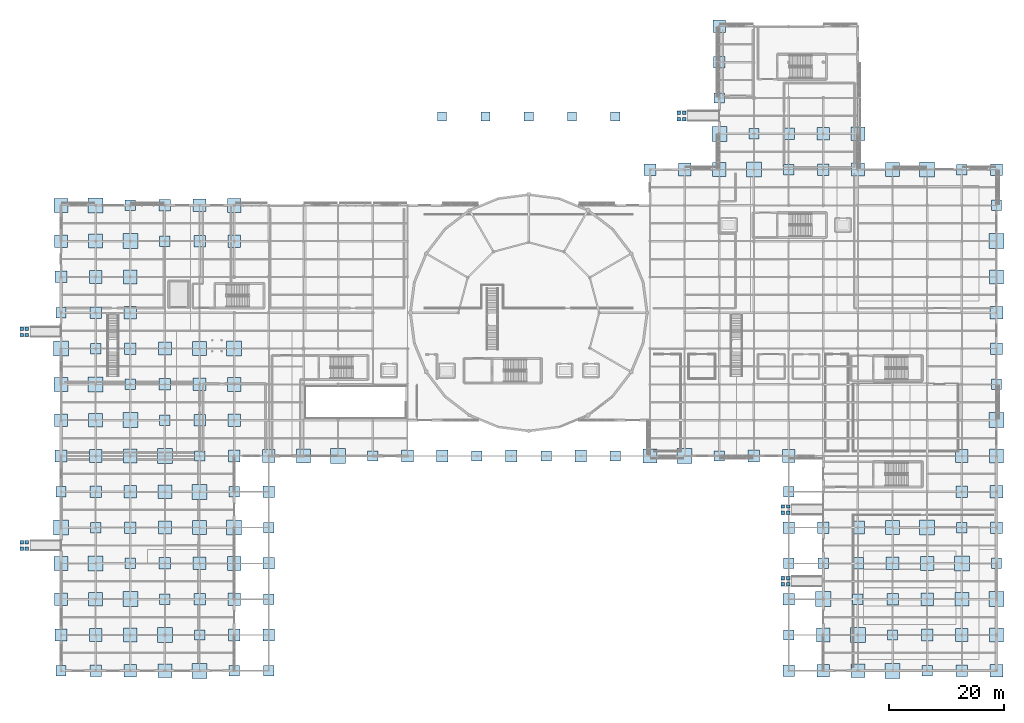
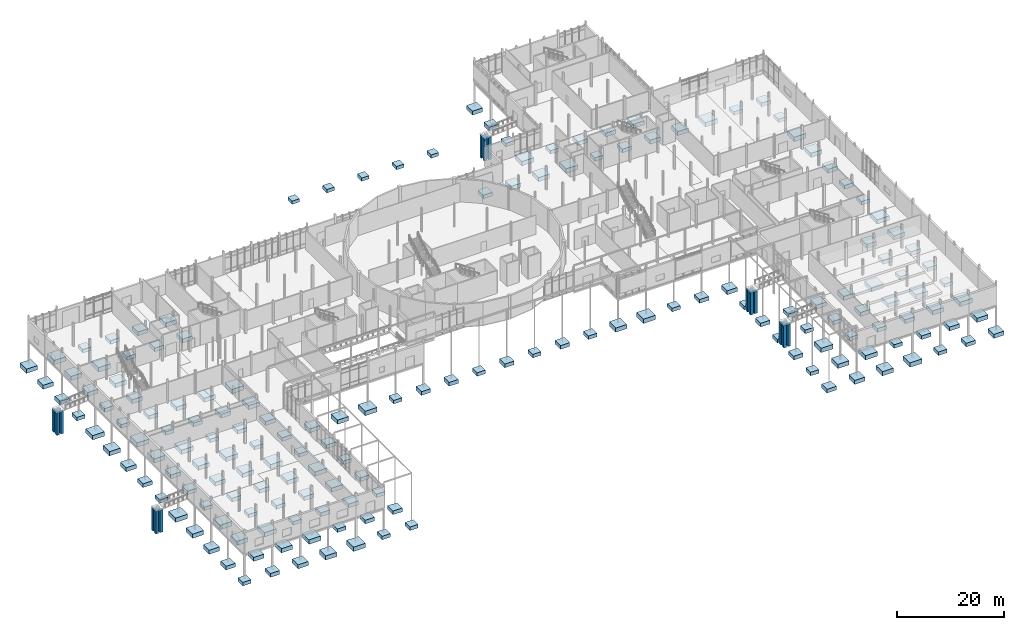
# One storey, part 1 of 98: 191 footings.
"""IFC4 building model written with IfcOpenShell, lengths in metres."""

from ifc_helpers import new_model, si_unit, direction, frame, origin, origin_2d, place, context, subcontext, project, spatial, rectangle, extrude, material, layer, layer_set, type_object, element, save


model = new_model("IFC4")

# Units and contexts
model_context = context("Model", 3, precision=1e-05, world=origin(), true_north=direction((0.0, 1.0)))
body_context = subcontext(model_context, "Body", "Model", "MODEL_VIEW")
ifc_project = project(units=[si_unit("LENGTHUNIT", "METRE"), si_unit("AREAUNIT", "SQUARE_METRE"), si_unit("VOLUMEUNIT", "CUBIC_METRE"), si_unit("PLANEANGLEUNIT", "RADIAN"), si_unit("MASSUNIT", "GRAM", prefix="KILO")], contexts=[model_context])

# Site, building, storey
site_placement = place(None, origin())
site = spatial("IfcSite", under=ifc_project, at=site_placement, CompositionType="ELEMENT")
building_placement = place(site_placement, origin())
building = spatial("IfcBuilding", under=site, at=building_placement, Name="Mirzam Square Science Centre", CompositionType="ELEMENT")
storey_placement = place(building_placement, origin())
storey = spatial("IfcBuildingStorey", under=building, at=storey_placement, Name="L00", CompositionType="ELEMENT", Elevation=0.0)

# Footings
ifc_material = material(Name="Concrete C45/55", Category="concrete")
ifc_layer_1 = layer(ifc_material, 0.800048828125)
ifc_layer_set_1 = layer_set([ifc_layer_1], Name="PF-COL-1800")
footing_type_1 = type_object("IfcFootingType", Name="PF-COL-1800", PredefinedType="PAD_FOOTING", material=ifc_layer_set_1)
for number, where, z_axis, x_axis, name in (
    (1, (0.0, 0.0, -6.60009765625), (0.0, 0.0, 1.0), (1.0, 0.0, 0.0), "Pad footing G01-01"),
    (2, (0.0, 31.0, -6.60009765625), (0.0, 0.0, 1.0), (1.0, 0.0, 0.0), "Pad footing G01-06"),
    (3, (0.0, 62.0, -6.60009765625), (0.0, 0.0, 1.0), (1.0, 0.0, 0.0), "Pad footing G01-11"),
    (4, (6.0, 24.800048828125, -6.60009765625), (0.0, 0.0, 1.0), (1.0, 0.0, 0.0), "Pad footing G02-05"),
    (5, (6.0, 55.800048828125, -6.60009765625), (0.0, 0.0, 1.0), (1.0, 0.0, 0.0), "Pad footing G02-10"),
    (6, (12.0, 18.60009765625, -6.60009765625), (0.0, 0.0, 1.0), (1.0, 0.0, 0.0), "Pad footing G03-04"),
    (7, (12.0, 49.60009765625, -6.60009765625), (0.0, 0.0, 1.0), (1.0, 0.0, 0.0), "Pad footing G03-09"),
    (8, (12.0, 80.60009765625, -6.60009765625), (0.0, 0.0, 1.0), (1.0, 0.0, 0.0), "Pad footing G03-14"),
    (9, (18.0, 12.39990234375, -6.60009765625), (0.0, 0.0, 1.0), (1.0, 0.0, 0.0), "Pad footing G04-03"),
    (10, (18.0, 43.39990234375, -6.60009765625), (0.0, 0.0, 1.0), (1.0, 0.0, 0.0), "Pad footing G04-08"),
    (11, (18.0, 74.39990234375, -6.60009765625), (0.0, 0.0, 1.0), (1.0, 0.0, 0.0), "Pad footing G04-13"),
    (12, (24.0, 6.199951171875, -6.60009765625), (0.0, 0.0, 1.0), (1.0, 0.0, 0.0), "Pad footing G05-02"),
    (13, (24.0, 37.199951171875, -6.60009765625), (0.0, 0.0, 1.0), (1.0, 0.0, 0.0), "Pad footing G05-07"),
    (14, (30.0, 0.0, -6.60009765625), (0.0, 0.0, 1.0), (1.0, 0.0, 0.0), "Pad footing G06-01"),
    (15, (30.0, 31.0, -6.60009765625), (0.0, 0.0, 1.0), (1.0, 0.0, 0.0), "Pad footing G06-06"),
    (16, (36.0, 0.0, -6.60009765625), (0.0, 0.0, 1.0), (1.0, 0.0, 0.0), "Pad footing G07-01"),
    (17, (36.0, 12.39990234375, -6.60009765625), (0.0, 0.0, 1.0), (1.0, 0.0, 0.0), "Pad footing G07-03"),
    (18, (36.0, 24.800048828125, -6.60009765625), (0.0, 0.0, 1.0), (1.0, 0.0, 0.0), "Pad footing G07-05"),
    (19, (54.0, 37.199951171875, -6.60009765625), (0.0, 0.0, 1.0), (1.0, 0.0, 0.0), "Pad footing G10-07"),
    (20, (72.0, 37.199951171875, -6.60009765625), (0.0, 0.0, 1.0), (1.0, 0.0, 0.0), "Pad footing G13-07"),
    (21, (84.0, 37.199951171875, -6.60009765625), (0.0, 0.0, 1.0), (1.0, 0.0, 0.0), "Pad footing G15-07"),
    (22, (96.0, 37.199951171875, -6.60009765625), (0.0, 0.0, 1.0), (1.0, 0.0, 0.0), "Pad footing G17-07"),
    (23, (114.0, 37.199951171875, -6.60009765625), (0.0, 0.0, 1.0), (1.0, 0.0, 0.0), "Pad footing G20-07"),
    (24, (114.0, 99.199951171875, -6.60009765625), (0.0, 0.0, 1.0), (1.0, 0.0, 0.0), "Pad footing G20-17"),
    (25, (120.0, 93.0, -6.60009765625), (0.0, 0.0, 1.0), (1.0, 0.0, 0.0), "Pad footing G21-16"),
    (26, (126.0, 6.199951171875, -6.60009765625), (0.0, 0.0, 1.0), (1.0, 0.0, 0.0), "Pad footing G22-02"),
    (27, (126.0, 18.60009765625, -6.60009765625), (0.0, 0.0, 1.0), (1.0, 0.0, 0.0), "Pad footing G22-04"),
    (28, (126.0, 31.0, -6.60009765625), (0.0, 0.0, 1.0), (1.0, 0.0, 0.0), "Pad footing G22-06"),
    (29, (126.0, 86.800048828125, -6.60009765625), (0.0, 0.0, 1.0), (1.0, 0.0, 0.0), "Pad footing G22-15"),
    (30, (132.0, 18.60009765625, -6.60009765625), (0.0, 0.0, 1.0), (1.0, 0.0, 0.0), "Pad footing G23-04"),
    (31, (138.0, 12.39990234375, -6.60009765625), (0.0, 0.0, 1.0), (1.0, 0.0, 0.0), "Pad footing G24-03"),
    (32, (144.0, 6.199951171875, -6.60009765625), (0.0, 0.0, 1.0), (1.0, 0.0, 0.0), "Pad footing G25-02"),
    (33, (150.0, 0.0, -6.60009765625), (0.0, 0.0, 1.0), (1.0, 0.0, 0.0), "Pad footing G26-01"),
    (34, (156.0, 24.800048828125, -6.60009765625), (0.0, 0.0, 1.0), (1.0, 0.0, 0.0), "Pad footing G27-05"),
    (35, (156.0, 86.800048828125, -6.60009765625), (0.0, 0.0, 1.0), (1.0, 0.0, 0.0), "Pad footing G27-15"),
    (36, (162.0, 18.60009765625, -6.60009765625), (0.0, 0.0, 1.0), (1.0, 0.0, 0.0), "Pad footing G28-04"),
    (37, (162.0, 49.60009765625, -6.60009765625), (0.0, 0.0, 1.0), (1.0, 0.0, 0.0), "Pad footing G28-09"),
    (38, (162.0, 80.60009765625, -6.60009765625), (0.0, 0.0, 1.0), (1.0, 0.0, 0.0), "Pad footing G28-14"),
):
    element("IfcFooting", number, at=place(storey_placement, frame(where, z_axis=z_axis, x_axis=x_axis)), inside=storey, type_object=footing_type_1, Name=name, PredefinedType="PAD_FOOTING", context=body_context, shape_type="SweptSolid", body=[
        extrude(rectangle(XDim=1.800048828125, YDim=1.800048828125, at=origin_2d()), origin(), (0.0, 0.0, 1.0), 0.800048828125),
    ])
for number, where, z_axis, x_axis, name in (
    (39, (125.0, 14.949951171875, -5.800048828125), (0.0, 0.0, 1.0), (1.0, 0.0, 0.0), "RAMP-PED-01 apron pier 1"),
    (40, (125.89990234375, 14.949951171875, -5.800048828125), (0.0, 0.0, 1.0), (1.0, 0.0, 0.0), "RAMP-PED-01 apron pier 2"),
    (41, (125.0, 16.050048828125, -5.800048828125), (0.0, 0.0, 1.0), (1.0, 0.0, 0.0), "RAMP-PED-01 apron pier 3"),
    (42, (125.89990234375, 16.050048828125, -5.800048828125), (0.0, 0.0, 1.0), (1.0, 0.0, 0.0), "RAMP-PED-01 apron pier 4"),
    (43, (125.0, 27.35009765625, -5.800048828125), (0.0, 0.0, 1.0), (1.0, 0.0, 0.0), "RAMP-PED-02 apron pier 1"),
    (44, (125.89990234375, 27.35009765625, -5.800048828125), (0.0, 0.0, 1.0), (1.0, 0.0, 0.0), "RAMP-PED-02 apron pier 2"),
    (45, (125.0, 28.449951171875, -5.800048828125), (0.0, 0.0, 1.0), (1.0, 0.0, 0.0), "RAMP-PED-02 apron pier 3"),
    (46, (125.89990234375, 28.449951171875, -5.800048828125), (0.0, 0.0, 1.0), (1.0, 0.0, 0.0), "RAMP-PED-02 apron pier 4"),
    (47, (-6.800048828125, 58.14990234375, -5.800048828125), (0.0, 0.0, 1.0), (1.0, 0.0, 0.0), "RAMP-PED-03 apron pier 1"),
    (48, (-5.89990234375, 58.14990234375, -5.800048828125), (0.0, 0.0, 1.0), (1.0, 0.0, 0.0), "RAMP-PED-03 apron pier 2"),
    (49, (-6.800048828125, 59.25, -5.800048828125), (0.0, 0.0, 1.0), (1.0, 0.0, 0.0), "RAMP-PED-03 apron pier 3"),
    (50, (-5.89990234375, 59.25, -5.800048828125), (0.0, 0.0, 1.0), (1.0, 0.0, 0.0), "RAMP-PED-03 apron pier 4"),
    (51, (-6.800048828125, 21.14990234375, -5.800048828125), (0.0, 0.0, 1.0), (1.0, 0.0, 0.0), "RAMP-PED-04 apron pier 1"),
    (52, (-5.89990234375, 21.14990234375, -5.800048828125), (0.0, 0.0, 1.0), (1.0, 0.0, 0.0), "RAMP-PED-04 apron pier 2"),
    (53, (-6.800048828125, 22.25, -5.800048828125), (0.0, 0.0, 1.0), (1.0, 0.0, 0.0), "RAMP-PED-04 apron pier 3"),
    (54, (-5.89990234375, 22.25, -5.800048828125), (0.0, 0.0, 1.0), (1.0, 0.0, 0.0), "RAMP-PED-04 apron pier 4"),
    (55, (107.0, 95.550048828125, -5.800048828125), (0.0, 0.0, 1.0), (1.0, 0.0, 0.0), "RAMP-PED-05 apron pier 1"),
    (56, (107.89990234375, 95.550048828125, -5.800048828125), (0.0, 0.0, 1.0), (1.0, 0.0, 0.0), "RAMP-PED-05 apron pier 2"),
    (57, (107.0, 96.64990234375, -5.800048828125), (0.0, 0.0, 1.0), (1.0, 0.0, 0.0), "RAMP-PED-05 apron pier 3"),
    (58, (107.89990234375, 96.64990234375, -5.800048828125), (0.0, 0.0, 1.0), (1.0, 0.0, 0.0), "RAMP-PED-05 apron pier 4"),
):
    element("IfcFooting", number, at=place(storey_placement, frame(where, z_axis=z_axis, x_axis=x_axis)), inside=storey, type_object=footing_type_1, Name=name, PredefinedType="PAD_FOOTING", context=body_context, shape_type="SweptSolid", body=[
        extrude(rectangle(XDim=0.60009765625, YDim=0.60009765625, at=origin_2d()), origin(), (0.0, 0.0, 1.0), 5.10009765625),
    ])
ifc_layer_2 = layer(ifc_material, 0.85009765625)
ifc_layer_set_2 = layer_set([ifc_layer_2], Name="PF-COL-2000")
footing_type_2 = type_object("IfcFootingType", Name="PF-COL-2000", PredefinedType="PAD_FOOTING", material=ifc_layer_set_2)
for number, where, z_axis, x_axis, name in (
    (59, (0.0, 6.199951171875, -6.650146484375), (0.0, 0.0, 1.0), (1.0, 0.0, 0.0), "Pad footing G01-02"),
    (60, (0.0, 37.199951171875, -6.650146484375), (0.0, 0.0, 1.0), (1.0, 0.0, 0.0), "Pad footing G01-07"),
    (61, (0.0, 68.199951171875, -6.650146484375), (0.0, 0.0, 1.0), (1.0, 0.0, 0.0), "Pad footing G01-12"),
    (62, (6.0, 0.0, -6.650146484375), (0.0, 0.0, 1.0), (1.0, 0.0, 0.0), "Pad footing G02-01"),
    (63, (6.0, 31.0, -6.650146484375), (0.0, 0.0, 1.0), (1.0, 0.0, 0.0), "Pad footing G02-06"),
    (64, (6.0, 62.0, -6.650146484375), (0.0, 0.0, 1.0), (1.0, 0.0, 0.0), "Pad footing G02-11"),
    (65, (12.0, 24.800048828125, -6.650146484375), (0.0, 0.0, 1.0), (1.0, 0.0, 0.0), "Pad footing G03-05"),
    (66, (12.0, 55.800048828125, -6.650146484375), (0.0, 0.0, 1.0), (1.0, 0.0, 0.0), "Pad footing G03-10"),
    (67, (18.0, 18.60009765625, -6.650146484375), (0.0, 0.0, 1.0), (1.0, 0.0, 0.0), "Pad footing G04-04"),
    (68, (18.0, 49.60009765625, -6.650146484375), (0.0, 0.0, 1.0), (1.0, 0.0, 0.0), "Pad footing G04-09"),
    (69, (18.0, 80.60009765625, -6.650146484375), (0.0, 0.0, 1.0), (1.0, 0.0, 0.0), "Pad footing G04-14"),
    (70, (24.0, 12.39990234375, -6.650146484375), (0.0, 0.0, 1.0), (1.0, 0.0, 0.0), "Pad footing G05-03"),
    (71, (24.0, 43.39990234375, -6.650146484375), (0.0, 0.0, 1.0), (1.0, 0.0, 0.0), "Pad footing G05-08"),
    (72, (24.0, 74.39990234375, -6.650146484375), (0.0, 0.0, 1.0), (1.0, 0.0, 0.0), "Pad footing G05-13"),
    (73, (30.0, 6.199951171875, -6.650146484375), (0.0, 0.0, 1.0), (1.0, 0.0, 0.0), "Pad footing G06-02"),
    (74, (30.0, 37.199951171875, -6.650146484375), (0.0, 0.0, 1.0), (1.0, 0.0, 0.0), "Pad footing G06-07"),
    (75, (36.0, 6.199951171875, -6.650146484375), (0.0, 0.0, 1.0), (1.0, 0.0, 0.0), "Pad footing G07-02"),
    (76, (36.0, 18.60009765625, -6.650146484375), (0.0, 0.0, 1.0), (1.0, 0.0, 0.0), "Pad footing G07-04"),
    (77, (36.0, 31.0, -6.650146484375), (0.0, 0.0, 1.0), (1.0, 0.0, 0.0), "Pad footing G07-06"),
    (78, (60.0, 37.199951171875, -6.650146484375), (0.0, 0.0, 1.0), (1.0, 0.0, 0.0), "Pad footing G11-07"),
    (79, (66.0, 37.199951171875, -6.650146484375), (0.0, 0.0, 1.0), (1.0, 0.0, 0.0), "Pad footing G12-07"),
    (80, (78.0, 37.199951171875, -6.650146484375), (0.0, 0.0, 1.0), (1.0, 0.0, 0.0), "Pad footing G14-07"),
    (81, (90.0, 37.199951171875, -6.650146484375), (0.0, 0.0, 1.0), (1.0, 0.0, 0.0), "Pad footing G16-07"),
    (82, (102.0, 86.800048828125, -6.650146484375), (0.0, 0.0, 1.0), (1.0, 0.0, 0.0), "Pad footing G18-15"),
    (83, (114.0, 105.39990234375, -6.650146484375), (0.0, 0.0, 1.0), (1.0, 0.0, 0.0), "Pad footing G20-18"),
    (84, (120.0, 37.199951171875, -6.650146484375), (0.0, 0.0, 1.0), (1.0, 0.0, 0.0), "Pad footing G21-07"),
    (85, (126.0, 0.0, -6.650146484375), (0.0, 0.0, 1.0), (1.0, 0.0, 0.0), "Pad footing G22-01"),
    (86, (126.0, 12.39990234375, -6.650146484375), (0.0, 0.0, 1.0), (1.0, 0.0, 0.0), "Pad footing G22-03"),
    (87, (126.0, 24.800048828125, -6.650146484375), (0.0, 0.0, 1.0), (1.0, 0.0, 0.0), "Pad footing G22-05"),
    (88, (126.0, 93.0, -6.650146484375), (0.0, 0.0, 1.0), (1.0, 0.0, 0.0), "Pad footing G22-16"),
    (89, (132.0, 24.800048828125, -6.650146484375), (0.0, 0.0, 1.0), (1.0, 0.0, 0.0), "Pad footing G23-05"),
    (90, (132.0, 86.800048828125, -6.650146484375), (0.0, 0.0, 1.0), (1.0, 0.0, 0.0), "Pad footing G23-15"),
    (91, (138.0, 18.60009765625, -6.650146484375), (0.0, 0.0, 1.0), (1.0, 0.0, 0.0), "Pad footing G24-04"),
    (92, (144.0, 12.39990234375, -6.650146484375), (0.0, 0.0, 1.0), (1.0, 0.0, 0.0), "Pad footing G25-03"),
    (93, (150.0, 6.199951171875, -6.650146484375), (0.0, 0.0, 1.0), (1.0, 0.0, 0.0), "Pad footing G26-02"),
    (94, (156.0, 0.0, -6.650146484375), (0.0, 0.0, 1.0), (1.0, 0.0, 0.0), "Pad footing G27-01"),
    (95, (156.0, 31.0, -6.650146484375), (0.0, 0.0, 1.0), (1.0, 0.0, 0.0), "Pad footing G27-06"),
    (96, (162.0, 24.800048828125, -6.650146484375), (0.0, 0.0, 1.0), (1.0, 0.0, 0.0), "Pad footing G28-05"),
    (97, (162.0, 55.800048828125, -6.650146484375), (0.0, 0.0, 1.0), (1.0, 0.0, 0.0), "Pad footing G28-10"),
    (98, (162.0, 86.800048828125, -6.650146484375), (0.0, 0.0, 1.0), (1.0, 0.0, 0.0), "Pad footing G28-15"),
):
    element("IfcFooting", number, at=place(storey_placement, frame(where, z_axis=z_axis, x_axis=x_axis)), inside=storey, type_object=footing_type_2, Name=name, PredefinedType="PAD_FOOTING", context=body_context, shape_type="SweptSolid", body=[
        extrude(rectangle(XDim=2.0, YDim=2.0, at=origin_2d()), origin(), (0.0, 0.0, 1.0), 0.85009765625),
    ])
ifc_layer_3 = layer(ifc_material, 0.89990234375)
ifc_layer_set_3 = layer_set([ifc_layer_3], Name="PF-COL-2200")
footing_type_3 = type_object("IfcFootingType", Name="PF-COL-2200", PredefinedType="PAD_FOOTING", material=ifc_layer_set_3)
for number, where, z_axis, x_axis, name in (
    (99, (0.0, 12.39990234375, -6.699951171875), (0.0, 0.0, 1.0), (1.0, 0.0, 0.0), "Pad footing G01-03"),
    (100, (0.0, 43.39990234375, -6.699951171875), (0.0, 0.0, 1.0), (1.0, 0.0, 0.0), "Pad footing G01-08"),
    (101, (0.0, 74.39990234375, -6.699951171875), (0.0, 0.0, 1.0), (1.0, 0.0, 0.0), "Pad footing G01-13"),
    (102, (6.0, 6.199951171875, -6.699951171875), (0.0, 0.0, 1.0), (1.0, 0.0, 0.0), "Pad footing G02-02"),
    (103, (6.0, 37.199951171875, -6.699951171875), (0.0, 0.0, 1.0), (1.0, 0.0, 0.0), "Pad footing G02-07"),
    (104, (6.0, 68.199951171875, -6.699951171875), (0.0, 0.0, 1.0), (1.0, 0.0, 0.0), "Pad footing G02-12"),
    (105, (12.0, 0.0, -6.699951171875), (0.0, 0.0, 1.0), (1.0, 0.0, 0.0), "Pad footing G03-01"),
    (106, (12.0, 31.0, -6.699951171875), (0.0, 0.0, 1.0), (1.0, 0.0, 0.0), "Pad footing G03-06"),
    (107, (12.0, 62.0, -6.699951171875), (0.0, 0.0, 1.0), (1.0, 0.0, 0.0), "Pad footing G03-11"),
    (108, (18.0, 24.800048828125, -6.699951171875), (0.0, 0.0, 1.0), (1.0, 0.0, 0.0), "Pad footing G04-05"),
    (109, (18.0, 55.800048828125, -6.699951171875), (0.0, 0.0, 1.0), (1.0, 0.0, 0.0), "Pad footing G04-10"),
    (110, (24.0, 18.60009765625, -6.699951171875), (0.0, 0.0, 1.0), (1.0, 0.0, 0.0), "Pad footing G05-04"),
    (111, (24.0, 49.60009765625, -6.699951171875), (0.0, 0.0, 1.0), (1.0, 0.0, 0.0), "Pad footing G05-09"),
    (112, (24.0, 80.60009765625, -6.699951171875), (0.0, 0.0, 1.0), (1.0, 0.0, 0.0), "Pad footing G05-14"),
    (113, (30.0, 12.39990234375, -6.699951171875), (0.0, 0.0, 1.0), (1.0, 0.0, 0.0), "Pad footing G06-03"),
    (114, (30.0, 43.39990234375, -6.699951171875), (0.0, 0.0, 1.0), (1.0, 0.0, 0.0), "Pad footing G06-08"),
    (115, (30.0, 74.39990234375, -6.699951171875), (0.0, 0.0, 1.0), (1.0, 0.0, 0.0), "Pad footing G06-13"),
    (116, (36.0, 37.199951171875, -6.699951171875), (0.0, 0.0, 1.0), (1.0, 0.0, 0.0), "Pad footing G07-07"),
    (117, (108.0, 86.800048828125, -6.699951171875), (0.0, 0.0, 1.0), (1.0, 0.0, 0.0), "Pad footing G19-15"),
    (118, (114.0, 111.60009765625, -6.699951171875), (0.0, 0.0, 1.0), (1.0, 0.0, 0.0), "Pad footing G20-19"),
    (119, (126.0, 37.199951171875, -6.699951171875), (0.0, 0.0, 1.0), (1.0, 0.0, 0.0), "Pad footing G22-07"),
    (120, (132.0, 0.0, -6.699951171875), (0.0, 0.0, 1.0), (1.0, 0.0, 0.0), "Pad footing G23-01"),
    (121, (132.0, 93.0, -6.699951171875), (0.0, 0.0, 1.0), (1.0, 0.0, 0.0), "Pad footing G23-16"),
    (122, (138.0, 24.800048828125, -6.699951171875), (0.0, 0.0, 1.0), (1.0, 0.0, 0.0), "Pad footing G24-05"),
    (123, (138.0, 86.800048828125, -6.699951171875), (0.0, 0.0, 1.0), (1.0, 0.0, 0.0), "Pad footing G24-15"),
    (124, (144.0, 18.60009765625, -6.699951171875), (0.0, 0.0, 1.0), (1.0, 0.0, 0.0), "Pad footing G25-04"),
    (125, (150.0, 12.39990234375, -6.699951171875), (0.0, 0.0, 1.0), (1.0, 0.0, 0.0), "Pad footing G26-03"),
    (126, (156.0, 6.199951171875, -6.699951171875), (0.0, 0.0, 1.0), (1.0, 0.0, 0.0), "Pad footing G27-02"),
    (127, (156.0, 37.199951171875, -6.699951171875), (0.0, 0.0, 1.0), (1.0, 0.0, 0.0), "Pad footing G27-07"),
    (128, (162.0, 0.0, -6.699951171875), (0.0, 0.0, 1.0), (1.0, 0.0, 0.0), "Pad footing G28-01"),
    (129, (162.0, 31.0, -6.699951171875), (0.0, 0.0, 1.0), (1.0, 0.0, 0.0), "Pad footing G28-06"),
    (130, (162.0, 62.0, -6.699951171875), (0.0, 0.0, 1.0), (1.0, 0.0, 0.0), "Pad footing G28-11"),
):
    element("IfcFooting", number, at=place(storey_placement, frame(where, z_axis=z_axis, x_axis=x_axis)), inside=storey, type_object=footing_type_3, Name=name, PredefinedType="PAD_FOOTING", context=body_context, shape_type="SweptSolid", body=[
        extrude(rectangle(XDim=2.199951171875, YDim=2.199951171875, at=origin_2d()), origin(), (0.0, 0.0, 1.0), 0.89990234375),
    ])
ifc_layer_4 = layer(ifc_material, 0.949951171875)
ifc_layer_set_4 = layer_set([ifc_layer_4], Name="PF-COL-2400")
footing_type_4 = type_object("IfcFootingType", Name="PF-COL-2400", PredefinedType="PAD_FOOTING", material=ifc_layer_set_4)
for number, where, z_axis, x_axis, name in (
    (131, (0.0, 18.60009765625, -6.75), (0.0, 0.0, 1.0), (1.0, 0.0, 0.0), "Pad footing G01-04"),
    (132, (0.0, 49.60009765625, -6.75), (0.0, 0.0, 1.0), (1.0, 0.0, 0.0), "Pad footing G01-09"),
    (133, (0.0, 80.60009765625, -6.75), (0.0, 0.0, 1.0), (1.0, 0.0, 0.0), "Pad footing G01-14"),
    (134, (6.0, 12.39990234375, -6.75), (0.0, 0.0, 1.0), (1.0, 0.0, 0.0), "Pad footing G02-03"),
    (135, (6.0, 43.39990234375, -6.75), (0.0, 0.0, 1.0), (1.0, 0.0, 0.0), "Pad footing G02-08"),
    (136, (6.0, 74.39990234375, -6.75), (0.0, 0.0, 1.0), (1.0, 0.0, 0.0), "Pad footing G02-13"),
    (137, (12.0, 6.199951171875, -6.75), (0.0, 0.0, 1.0), (1.0, 0.0, 0.0), "Pad footing G03-02"),
    (138, (12.0, 37.199951171875, -6.75), (0.0, 0.0, 1.0), (1.0, 0.0, 0.0), "Pad footing G03-07"),
    (139, (12.0, 68.199951171875, -6.75), (0.0, 0.0, 1.0), (1.0, 0.0, 0.0), "Pad footing G03-12"),
    (140, (18.0, 0.0, -6.75), (0.0, 0.0, 1.0), (1.0, 0.0, 0.0), "Pad footing G04-01"),
    (141, (18.0, 31.0, -6.75), (0.0, 0.0, 1.0), (1.0, 0.0, 0.0), "Pad footing G04-06"),
    (142, (24.0, 24.800048828125, -6.75), (0.0, 0.0, 1.0), (1.0, 0.0, 0.0), "Pad footing G05-05"),
    (143, (24.0, 55.800048828125, -6.75), (0.0, 0.0, 1.0), (1.0, 0.0, 0.0), "Pad footing G05-10"),
    (144, (30.0, 18.60009765625, -6.75), (0.0, 0.0, 1.0), (1.0, 0.0, 0.0), "Pad footing G06-04"),
    (145, (30.0, 49.60009765625, -6.75), (0.0, 0.0, 1.0), (1.0, 0.0, 0.0), "Pad footing G06-09"),
    (146, (30.0, 80.60009765625, -6.75), (0.0, 0.0, 1.0), (1.0, 0.0, 0.0), "Pad footing G06-14"),
    (147, (42.0, 37.199951171875, -6.75), (0.0, 0.0, 1.0), (1.0, 0.0, 0.0), "Pad footing G08-07"),
    (148, (102.0, 37.199951171875, -6.75), (0.0, 0.0, 1.0), (1.0, 0.0, 0.0), "Pad footing G18-07"),
    (149, (114.0, 86.800048828125, -6.75), (0.0, 0.0, 1.0), (1.0, 0.0, 0.0), "Pad footing G20-15"),
    (150, (132.0, 6.199951171875, -6.75), (0.0, 0.0, 1.0), (1.0, 0.0, 0.0), "Pad footing G23-02"),
    (151, (138.0, 0.0, -6.75), (0.0, 0.0, 1.0), (1.0, 0.0, 0.0), "Pad footing G24-01"),
    (152, (138.0, 93.0, -6.75), (0.0, 0.0, 1.0), (1.0, 0.0, 0.0), "Pad footing G24-16"),
    (153, (144.0, 24.800048828125, -6.75), (0.0, 0.0, 1.0), (1.0, 0.0, 0.0), "Pad footing G25-05"),
    (154, (144.0, 86.800048828125, -6.75), (0.0, 0.0, 1.0), (1.0, 0.0, 0.0), "Pad footing G25-15"),
    (155, (150.0, 18.60009765625, -6.75), (0.0, 0.0, 1.0), (1.0, 0.0, 0.0), "Pad footing G26-04"),
    (156, (156.0, 12.39990234375, -6.75), (0.0, 0.0, 1.0), (1.0, 0.0, 0.0), "Pad footing G27-03"),
    (157, (162.0, 6.199951171875, -6.75), (0.0, 0.0, 1.0), (1.0, 0.0, 0.0), "Pad footing G28-02"),
    (158, (162.0, 37.199951171875, -6.75), (0.0, 0.0, 1.0), (1.0, 0.0, 0.0), "Pad footing G28-07"),
    (159, (162.0, 68.199951171875, -6.75), (0.0, 0.0, 1.0), (1.0, 0.0, 0.0), "Pad footing G28-12"),
):
    element("IfcFooting", number, at=place(storey_placement, frame(where, z_axis=z_axis, x_axis=x_axis)), inside=storey, type_object=footing_type_4, Name=name, PredefinedType="PAD_FOOTING", context=body_context, shape_type="SweptSolid", body=[
        extrude(rectangle(XDim=2.39990234375, YDim=2.39990234375, at=origin_2d()), origin(), (0.0, 0.0, 1.0), 0.949951171875),
    ])
ifc_layer_5 = layer(ifc_material, 1.0)
ifc_layer_set_5 = layer_set([ifc_layer_5], Name="PF-COL-2600")
footing_type_5 = type_object("IfcFootingType", Name="PF-COL-2600", PredefinedType="PAD_FOOTING", material=ifc_layer_set_5)
for number, where, z_axis, x_axis, name in (
    (160, (0.0, 24.800048828125, -6.800048828125), (0.0, 0.0, 1.0), (1.0, 0.0, 0.0), "Pad footing G01-05"),
    (161, (0.0, 55.800048828125, -6.800048828125), (0.0, 0.0, 1.0), (1.0, 0.0, 0.0), "Pad footing G01-10"),
    (162, (6.0, 18.60009765625, -6.800048828125), (0.0, 0.0, 1.0), (1.0, 0.0, 0.0), "Pad footing G02-04"),
    (163, (6.0, 49.60009765625, -6.800048828125), (0.0, 0.0, 1.0), (1.0, 0.0, 0.0), "Pad footing G02-09"),
    (164, (6.0, 80.60009765625, -6.800048828125), (0.0, 0.0, 1.0), (1.0, 0.0, 0.0), "Pad footing G02-14"),
    (165, (12.0, 12.39990234375, -6.800048828125), (0.0, 0.0, 1.0), (1.0, 0.0, 0.0), "Pad footing G03-03"),
    (166, (12.0, 43.39990234375, -6.800048828125), (0.0, 0.0, 1.0), (1.0, 0.0, 0.0), "Pad footing G03-08"),
    (167, (12.0, 74.39990234375, -6.800048828125), (0.0, 0.0, 1.0), (1.0, 0.0, 0.0), "Pad footing G03-13"),
    (168, (18.0, 6.199951171875, -6.800048828125), (0.0, 0.0, 1.0), (1.0, 0.0, 0.0), "Pad footing G04-02"),
    (169, (18.0, 37.199951171875, -6.800048828125), (0.0, 0.0, 1.0), (1.0, 0.0, 0.0), "Pad footing G04-07"),
    (170, (24.0, 0.0, -6.800048828125), (0.0, 0.0, 1.0), (1.0, 0.0, 0.0), "Pad footing G05-01"),
    (171, (24.0, 31.0, -6.800048828125), (0.0, 0.0, 1.0), (1.0, 0.0, 0.0), "Pad footing G05-06"),
    (172, (30.0, 24.800048828125, -6.800048828125), (0.0, 0.0, 1.0), (1.0, 0.0, 0.0), "Pad footing G06-05"),
    (173, (30.0, 55.800048828125, -6.800048828125), (0.0, 0.0, 1.0), (1.0, 0.0, 0.0), "Pad footing G06-10"),
    (174, (48.0, 37.199951171875, -6.800048828125), (0.0, 0.0, 1.0), (1.0, 0.0, 0.0), "Pad footing G09-07"),
    (175, (108.0, 37.199951171875, -6.800048828125), (0.0, 0.0, 1.0), (1.0, 0.0, 0.0), "Pad footing G19-07"),
    (176, (114.0, 93.0, -6.800048828125), (0.0, 0.0, 1.0), (1.0, 0.0, 0.0), "Pad footing G20-16"),
    (177, (120.0, 86.800048828125, -6.800048828125), (0.0, 0.0, 1.0), (1.0, 0.0, 0.0), "Pad footing G21-15"),
    (178, (132.0, 12.39990234375, -6.800048828125), (0.0, 0.0, 1.0), (1.0, 0.0, 0.0), "Pad footing G23-03"),
    (179, (138.0, 6.199951171875, -6.800048828125), (0.0, 0.0, 1.0), (1.0, 0.0, 0.0), "Pad footing G24-02"),
    (180, (144.0, 0.0, -6.800048828125), (0.0, 0.0, 1.0), (1.0, 0.0, 0.0), "Pad footing G25-01"),
    (181, (150.0, 24.800048828125, -6.800048828125), (0.0, 0.0, 1.0), (1.0, 0.0, 0.0), "Pad footing G26-05"),
    (182, (150.0, 86.800048828125, -6.800048828125), (0.0, 0.0, 1.0), (1.0, 0.0, 0.0), "Pad footing G26-15"),
    (183, (156.0, 18.60009765625, -6.800048828125), (0.0, 0.0, 1.0), (1.0, 0.0, 0.0), "Pad footing G27-04"),
    (184, (162.0, 12.39990234375, -6.800048828125), (0.0, 0.0, 1.0), (1.0, 0.0, 0.0), "Pad footing G28-03"),
    (185, (162.0, 43.39990234375, -6.800048828125), (0.0, 0.0, 1.0), (1.0, 0.0, 0.0), "Pad footing G28-08"),
    (186, (162.0, 74.39990234375, -6.800048828125), (0.0, 0.0, 1.0), (1.0, 0.0, 0.0), "Pad footing G28-13"),
):
    element("IfcFooting", number, at=place(storey_placement, frame(where, z_axis=z_axis, x_axis=x_axis)), inside=storey, type_object=footing_type_5, Name=name, PredefinedType="PAD_FOOTING", context=body_context, shape_type="SweptSolid", body=[
        extrude(rectangle(XDim=2.60009765625, YDim=2.60009765625, at=origin_2d()), origin(), (0.0, 0.0, 1.0), 1.0),
    ])
ifc_layer_6 = layer(ifc_material, 0.75)
ifc_layer_set_6 = layer_set([ifc_layer_6], Name="PF-PIER-1600")
footing_type_6 = type_object("IfcFootingType", Name="PF-PIER-1600", PredefinedType="PAD_FOOTING", material=ifc_layer_set_6)
for number, where, z_axis, x_axis, name in (
    (187, (66.0, 96.0, -1.050048828125), (0.0, 0.0, 1.0), (1.0, 0.0, 0.0), "Science park instrument pier footing 1"),
    (188, (73.5, 96.0, -1.050048828125), (0.0, 0.0, 1.0), (1.0, 0.0, 0.0), "Science park instrument pier footing 2"),
    (189, (81.0, 96.0, -1.050048828125), (0.0, 0.0, 1.0), (1.0, 0.0, 0.0), "Science park instrument pier footing 3"),
    (190, (88.5, 96.0, -1.050048828125), (0.0, 0.0, 1.0), (1.0, 0.0, 0.0), "Science park instrument pier footing 4"),
    (191, (96.0, 96.0, -1.050048828125), (0.0, 0.0, 1.0), (1.0, 0.0, 0.0), "Science park instrument pier footing 5"),
):
    element("IfcFooting", number, at=place(storey_placement, frame(where, z_axis=z_axis, x_axis=x_axis)), inside=storey, type_object=footing_type_6, Name=name, PredefinedType="PAD_FOOTING", context=body_context, shape_type="SweptSolid", body=[
        extrude(rectangle(XDim=1.60009765625, YDim=1.60009765625, at=origin_2d()), origin(), (0.0, 0.0, 1.0), 0.75),
    ])

save(model, "model.ifc")
